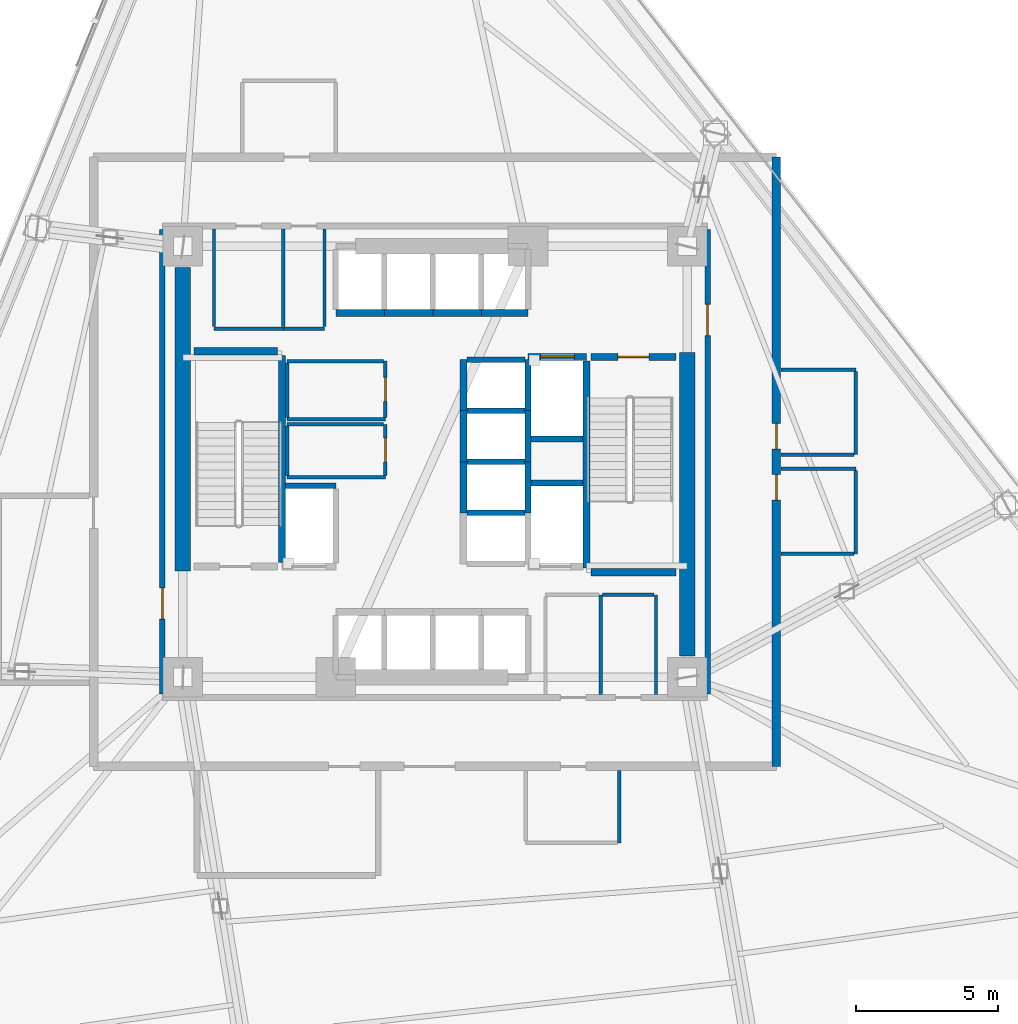
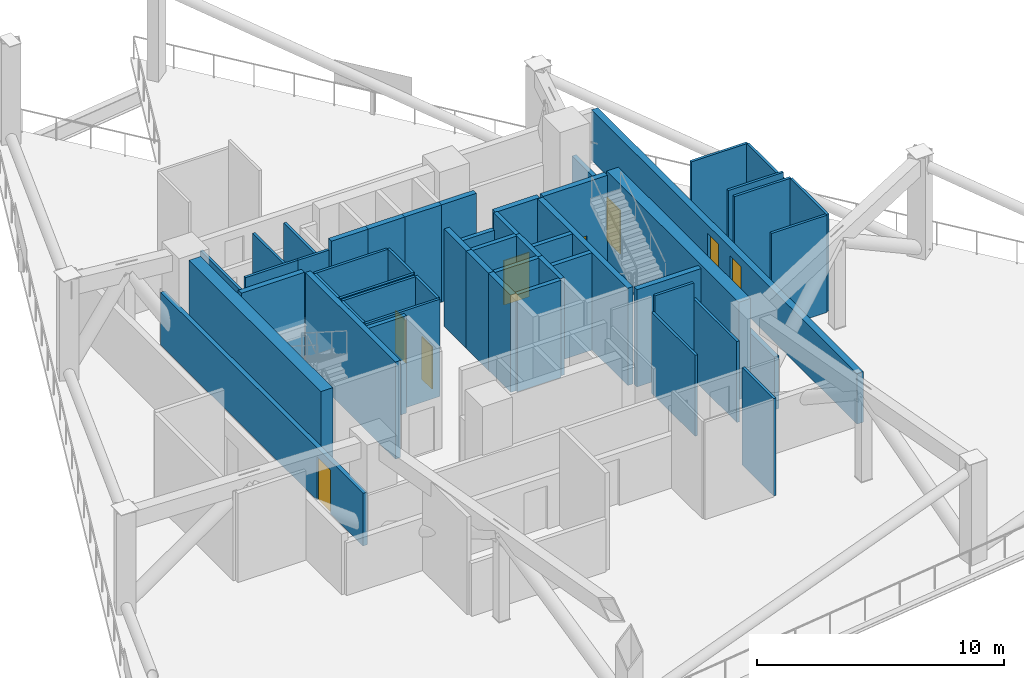
# One storey, part 7 of 13: 51 walls, 8 doors, 8 openings.
"""IFC4 building model written with IfcOpenShell, lengths in metres."""

from ifc_helpers import new_model, si_unit, direction, frame, frame_2d, origin, place, context, subcontext, project, spatial, rectangle, extrude, material, layer, layer_set, type_object, element, fill, save


model = new_model("IFC4")

# Units and contexts
model_context = context("Model", 3, precision=1e-05, world=origin(), true_north=direction((0.0, 1.0)))
body_context = subcontext(model_context, "Body", "Model", "MODEL_VIEW")
ifc_project = project(units=[si_unit("LENGTHUNIT", "METRE"), si_unit("AREAUNIT", "SQUARE_METRE"), si_unit("VOLUMEUNIT", "CUBIC_METRE"), si_unit("PLANEANGLEUNIT", "RADIAN"), si_unit("MASSUNIT", "GRAM", prefix="KILO")], contexts=[model_context])

# Site, building, storey
site_placement = place(None, origin())
site = spatial("IfcSite", under=ifc_project, at=site_placement, CompositionType="ELEMENT")
building_placement = place(site_placement, origin())
building = spatial("IfcBuilding", under=site, at=building_placement, Name="Tharavind Bronze Gate", CompositionType="ELEMENT")
storey_placement = place(building_placement, frame((0.0, 0.0, 81.10009765625)))
storey = spatial("IfcBuildingStorey", under=building, at=storey_placement, Name="L20", CompositionType="ELEMENT", Elevation=81.10009765625)

# Wall, openings, doors
ifc_material_1 = material(Name="Concrete C40/50", Category="concrete")
ifc_layer_1 = layer(ifc_material_1, 0.300048828125)
ifc_layer_set_1 = layer_set([ifc_layer_1], Name="Concrete C40/50")
wall_type_1 = type_object("IfcWallType", Name="EXTERIOR SPANDREL WALL 300", PredefinedType="STANDARD", material=ifc_layer_set_1)
wall_1_placement = place(storey_placement, frame((12.050048828125, -10.75, 0.0), z_axis=(0.0, 0.0, 1.0), x_axis=(0.0, 1.0, 0.0)))
wall_1 = element("IfcWall", 1, at=wall_1_placement, inside=storey, type_object=wall_type_1, Name="L20 open wind floor core enclosure wall 2", PredefinedType="STANDARD", context=body_context, shape_type="SweptSolid", body=[
    extrude(rectangle(XDim=21.5, YDim=0.300048828125, at=frame_2d((10.75, 0.0))), origin(), (0.0, 0.0, 1.0), 2.5048828125),
])
opening_1_placement = place(wall_1_placement, frame((11.199951171875, 0.0, 0.0)))
opening_1 = element("IfcOpeningElement", 2, at=opening_1_placement, cuts=wall_1, Name="Opening ID07", PredefinedType="OPENING", context=body_context, shape_type="SweptSolid", body=[
    extrude(rectangle(XDim=0.89990234375, YDim=2.10009765625, at=frame_2d((0.449951171875, 1.050048828125))), frame((0.0, 0.15990234375, 0.0), z_axis=(0.0, -1.0, 0.0), x_axis=(1.0, 0.0, 0.0)), (0.0, 0.0, 1.0), 0.320048828125),
])
opening_2_placement = place(wall_1_placement, frame((9.39990234375, 0.0, 0.0)))
opening_2 = element("IfcOpeningElement", 3, at=opening_2_placement, cuts=wall_1, Name="Opening ID07", PredefinedType="OPENING", context=body_context, shape_type="SweptSolid", body=[
    extrude(rectangle(XDim=0.89990234375, YDim=2.10009765625, at=frame_2d((0.449951171875, 1.050048828125))), frame((0.0, 0.15990234375, 0.0), z_axis=(0.0, -1.0, 0.0), x_axis=(1.0, 0.0, 0.0)), (0.0, 0.0, 1.0), 0.320048828125),
])
ifc_material_2 = material(Name="Galvanised Fire Steel", Category="steel")
door_type_1 = type_object("IfcDoorType", Name="PLANT AND RISER FIRE DOOR 900X2100", OperationType="SINGLE_SWING_LEFT", PredefinedType="DOOR", material=ifc_material_2)
door_1_placement = place(opening_1_placement, origin())
door_1 = element("IfcDoor", 4, at=door_1_placement, inside=storey, type_object=door_type_1, Name="L20 Smoke Extract Plant Room door", OperationType="SINGLE_SWING_LEFT", OverallHeight=2.10009765625, OverallWidth=0.89990234375, PredefinedType="DOOR", context=body_context, shape_type="SweptSolid", body=[
    extrude(rectangle(XDim=0.89990234375, YDim=2.10009765625, at=frame_2d((0.449951171875, 1.050048828125))), frame((0.0, 0.02490234375, 0.0), z_axis=(0.0, -1.0, 0.0), x_axis=(1.0, 0.0, 0.0)), (0.0, 0.0, 1.0), 0.050048828125),
])
fill(opening_1, door_1)
door_2_placement = place(opening_2_placement, origin())
door_2 = element("IfcDoor", 5, at=door_2_placement, inside=storey, type_object=door_type_1, Name="L20 Pressurisation Mechanical Room door", OperationType="SINGLE_SWING_LEFT", OverallHeight=2.10009765625, OverallWidth=0.89990234375, PredefinedType="DOOR", context=body_context, shape_type="SweptSolid", body=[
    extrude(rectangle(XDim=0.89990234375, YDim=2.10009765625, at=frame_2d((0.449951171875, 1.050048828125))), frame((0.0, 0.02490234375, 0.0), z_axis=(0.0, -1.0, 0.0), x_axis=(1.0, 0.0, 0.0)), (0.0, 0.0, 1.0), 0.050048828125),
])
fill(opening_2, door_2)

# Wall, opening, door
ifc_material_3 = material(Name="Aerated Concrete Block", Category="concrete")
ifc_layer_2 = layer(ifc_material_3, 0.199951171875)
ifc_layer_set_2 = layer_set([ifc_layer_2], Name="Aerated Concrete Block")
wall_type_2 = type_object("IfcWallType", Name="FIRE RATED PARTITION 200", PredefinedType="PARTITIONING", material=ifc_layer_set_2)
wall_2_placement = place(storey_placement, frame((-9.6201171875, 8.199951171875, 0.0), z_axis=(0.0, 0.0, 1.0), x_axis=(0.0, -1.0, 0.0)))
wall_2 = element("IfcWall", 6, at=wall_2_placement, inside=storey, type_object=wall_type_2, Name="L20 west core corridor wall", PredefinedType="PARTITIONING", context=body_context, shape_type="SweptSolid", body=[
    extrude(rectangle(XDim=16.39990234375, YDim=0.199951171875, at=frame_2d((8.199951171875, 0.0))), origin(), (0.0, 0.0, 1.0), 2.60498046875),
])
opening_3_placement = place(wall_2_placement, frame((12.64990234375, 0.0, 0.0)))
opening_3 = element("IfcOpeningElement", 7, at=opening_3_placement, cuts=wall_2, Name="Opening ID01", PredefinedType="OPENING", context=body_context, shape_type="SweptSolid", body=[
    extrude(rectangle(XDim=1.10009765625, YDim=2.14990234375, at=frame_2d((0.550048828125, 1.074951171875))), frame((0.0, 0.11009765625, 0.0), z_axis=(0.0, -1.0, 0.0), x_axis=(1.0, 0.0, 0.0)), (0.0, 0.0, 1.0), 0.219951171875),
])
ifc_material_4 = material(Name="Fire-Rated Steel", Category="steel")
door_type_2 = type_object("IfcDoorType", Name="STAIR CORE FIRE DOOR 1100X2150", OperationType="SINGLE_SWING_LEFT", PredefinedType="DOOR", material=ifc_material_4)
door_3_placement = place(opening_3_placement, frame((1.10009765625, 0.0, 0.0), z_axis=(0.0, 0.0, 1.0), x_axis=(-1.0, 0.0, 0.0)))
door_3 = element("IfcDoor", 8, at=door_3_placement, inside=storey, type_object=door_type_2, Name="L20 south west stair lobby fire door", OperationType="SINGLE_SWING_LEFT", OverallHeight=2.14990234375, OverallWidth=1.10009765625, PredefinedType="DOOR", context=body_context, shape_type="SweptSolid", body=[
    extrude(rectangle(XDim=1.10009765625, YDim=2.14990234375, at=frame_2d((0.550048828125, 1.074951171875))), frame((0.0, 0.02490234375, 0.0), z_axis=(0.0, -1.0, 0.0), x_axis=(1.0, 0.0, 0.0)), (0.0, 0.0, 1.0), 0.050048828125),
])
fill(opening_3, door_3)

wall_3_placement = place(storey_placement, frame((9.6201171875, -8.199951171875, 0.0), z_axis=(0.0, 0.0, 1.0), x_axis=(0.0, 1.0, 0.0)))
wall_3 = element("IfcWall", 9, at=wall_3_placement, inside=storey, type_object=wall_type_2, Name="L20 east core corridor wall", PredefinedType="PARTITIONING", context=body_context, shape_type="SweptSolid", body=[
    extrude(rectangle(XDim=16.39990234375, YDim=0.199951171875, at=frame_2d((8.199951171875, 0.0))), origin(), (0.0, 0.0, 1.0), 2.60498046875),
])
opening_4_placement = place(wall_3_placement, frame((12.64990234375, 0.0, 0.0)))
opening_4 = element("IfcOpeningElement", 10, at=opening_4_placement, cuts=wall_3, Name="Opening ID01", PredefinedType="OPENING", context=body_context, shape_type="SweptSolid", body=[
    extrude(rectangle(XDim=1.10009765625, YDim=2.14990234375, at=frame_2d((0.550048828125, 1.074951171875))), frame((0.0, 0.11009765625, 0.0), z_axis=(0.0, -1.0, 0.0), x_axis=(1.0, 0.0, 0.0)), (0.0, 0.0, 1.0), 0.219951171875),
])
door_4_placement = place(opening_4_placement, frame((1.10009765625, 0.0, 0.0), z_axis=(0.0, 0.0, 1.0), x_axis=(-1.0, 0.0, 0.0)))
door_4 = element("IfcDoor", 11, at=door_4_placement, inside=storey, type_object=door_type_2, Name="L20 north east stair lobby fire door", OperationType="SINGLE_SWING_LEFT", OverallHeight=2.14990234375, OverallWidth=1.10009765625, PredefinedType="DOOR", context=body_context, shape_type="SweptSolid", body=[
    extrude(rectangle(XDim=1.10009765625, YDim=2.14990234375, at=frame_2d((0.550048828125, 1.074951171875))), frame((0.0, 0.02490234375, 0.0), z_axis=(0.0, -1.0, 0.0), x_axis=(1.0, 0.0, 0.0)), (0.0, 0.0, 1.0), 0.050048828125),
])
fill(opening_4, door_4)

# Wall
ifc_material_5 = material(Name="Metal Stud Gypsum Partition", Category="gypsum")
ifc_layer_3 = layer(ifc_material_5, 0.1201171875)
ifc_layer_set_3 = layer_set([ifc_layer_3], Name="Metal Stud Gypsum Partition")
wall_type_3 = type_object("IfcWallType", Name="INTERIOR PARTITION WALL 120", PredefinedType="PARTITIONING", material=ifc_layer_set_3)
wall_4_placement = place(storey_placement, frame((-5.219970703125, 1.5, 0.0), z_axis=(0.0, 0.0, 1.0), x_axis=(1.0, 0.0, 0.0)))
element("IfcWall", 12, at=wall_4_placement, inside=storey, type_object=wall_type_3, Name="L20 Core MEP Switchgear Room partition 1", PredefinedType="PARTITIONING", context=body_context, shape_type="SweptSolid", body=[
    extrude(rectangle(XDim=3.469970703125, YDim=0.1201171875, at=frame_2d((1.73486328125, 0.0))), origin(), (0.0, 0.0, 1.0), 4.809814453125),
])

# Wall, opening, door
wall_5_placement = place(storey_placement, frame((-1.75, 1.56494140625, 0.0), z_axis=(0.0, 0.0, 1.0), x_axis=(0.0, 1.0, 0.0)))
wall_5 = element("IfcWall", 13, at=wall_5_placement, inside=storey, type_object=wall_type_3, Name="L20 Core MEP Switchgear Room partition 2", PredefinedType="PARTITIONING", context=body_context, shape_type="SweptSolid", body=[
    extrude(rectangle(XDim=1.985107421875, YDim=0.1201171875, at=frame_2d((0.99267578125, 0.0))), origin(), (0.0, 0.0, 1.0), 4.809814453125),
])
opening_5_placement = place(wall_5_placement, frame((0.56689453125, 0.0, 0.0)))
opening_5 = element("IfcOpeningElement", 14, at=opening_5_placement, cuts=wall_5, Name="Opening ID06", PredefinedType="OPENING", context=body_context, shape_type="SweptSolid", body=[
    extrude(rectangle(XDim=0.85009765625, YDim=2.10009765625, at=frame_2d((0.425048828125, 1.050048828125))), frame((0.0, 0.07005859375, 0.0), z_axis=(0.0, -1.0, 0.0), x_axis=(1.0, 0.0, 0.0)), (0.0, 0.0, 1.0), 0.1401171875),
])
ifc_material_6 = material(Name="Moisture-Resistant Timber", Category="wood")
door_type_3 = type_object("IfcDoorType", Name="BATHROOM PRIVACY DOOR 850X2100", OperationType="SINGLE_SWING_RIGHT", PredefinedType="DOOR", material=ifc_material_6)
door_5_placement = place(opening_5_placement, frame((0.85009765625, 0.0, 0.0), z_axis=(0.0, 0.0, 1.0), x_axis=(-1.0, 0.0, 0.0)))
door_5 = element("IfcDoor", 15, at=door_5_placement, inside=storey, type_object=door_type_3, Name="L20 Core MEP Switchgear Room door", OperationType="SINGLE_SWING_RIGHT", OverallHeight=2.10009765625, OverallWidth=0.85009765625, PredefinedType="DOOR", context=body_context, shape_type="SweptSolid", body=[
    extrude(rectangle(XDim=0.85009765625, YDim=2.10009765625, at=frame_2d((0.425048828125, 1.050048828125))), frame((0.0, 0.02490234375, 0.0), z_axis=(0.0, -1.0, 0.0), x_axis=(1.0, 0.0, 0.0)), (0.0, 0.0, 1.0), 0.050048828125),
])
fill(opening_5, door_5)

# Walls
wall_6_placement = place(storey_placement, frame((-1.81494140625, 3.550048828125, 0.0), z_axis=(0.0, 0.0, 1.0), x_axis=(-1.0, 0.0, 0.0)))
element("IfcWall", 16, at=wall_6_placement, inside=storey, type_object=wall_type_3, Name="L20 Core MEP Switchgear Room partition 3", PredefinedType="PARTITIONING", context=body_context, shape_type="SweptSolid", body=[
    extrude(rectangle(XDim=3.405029296875, YDim=0.1201171875, at=frame_2d((1.70263671875, 0.0))), origin(), (0.0, 0.0, 1.0), 4.809814453125),
])
wall_7_placement = place(storey_placement, frame((-5.219970703125, 3.485107421875, 0.0), z_axis=(0.0, 0.0, 1.0), x_axis=(0.0, -1.0, 0.0)))
element("IfcWall", 17, at=wall_7_placement, inside=storey, type_object=wall_type_3, Name="L20 Core MEP Switchgear Room partition 4", PredefinedType="PARTITIONING", context=body_context, shape_type="SweptSolid", body=[
    extrude(rectangle(XDim=1.920166015625, YDim=0.1201171875, at=frame_2d((0.9599609375, 0.0))), origin(), (0.0, 0.0, 1.0), 4.809814453125),
])
wall_8_placement = place(storey_placement, frame((-5.219970703125, -0.550048828125, 0.0), z_axis=(0.0, 0.0, 1.0), x_axis=(1.0, 0.0, 0.0)))
element("IfcWall", 18, at=wall_8_placement, inside=storey, type_object=wall_type_3, Name="L20 Core Mechanical Valve Plant partition 1", PredefinedType="PARTITIONING", context=body_context, shape_type="SweptSolid", body=[
    extrude(rectangle(XDim=3.469970703125, YDim=0.1201171875, at=frame_2d((1.73486328125, 0.0))), origin(), (0.0, 0.0, 1.0), 4.809814453125),
])

# Wall, opening, door
wall_9_placement = place(storey_placement, frame((-1.75, -0.485107421875, 0.0), z_axis=(0.0, 0.0, 1.0), x_axis=(0.0, 1.0, 0.0)))
wall_9 = element("IfcWall", 19, at=wall_9_placement, inside=storey, type_object=wall_type_3, Name="L20 Core Mechanical Valve Plant partition 2", PredefinedType="PARTITIONING", context=body_context, shape_type="SweptSolid", body=[
    extrude(rectangle(XDim=1.80517578125, YDim=0.1201171875, at=frame_2d((0.902587890625, 0.0))), origin(), (0.0, 0.0, 1.0), 4.809814453125),
])
opening_6_placement = place(wall_9_placement, frame((0.47802734375, 0.0, 0.0)))
opening_6 = element("IfcOpeningElement", 20, at=opening_6_placement, cuts=wall_9, Name="Opening ID06", PredefinedType="OPENING", context=body_context, shape_type="SweptSolid", body=[
    extrude(rectangle(XDim=0.85009765625, YDim=2.10009765625, at=frame_2d((0.425048828125, 1.050048828125))), frame((0.0, 0.07005859375, 0.0), z_axis=(0.0, -1.0, 0.0), x_axis=(1.0, 0.0, 0.0)), (0.0, 0.0, 1.0), 0.1401171875),
])
door_6_placement = place(opening_6_placement, frame((0.85009765625, 0.0, 0.0), z_axis=(0.0, 0.0, 1.0), x_axis=(-1.0, 0.0, 0.0)))
door_6 = element("IfcDoor", 21, at=door_6_placement, inside=storey, type_object=door_type_3, Name="L20 Core Mechanical Valve Plant door", OperationType="SINGLE_SWING_RIGHT", OverallHeight=2.10009765625, OverallWidth=0.85009765625, PredefinedType="DOOR", context=body_context, shape_type="SweptSolid", body=[
    extrude(rectangle(XDim=0.85009765625, YDim=2.10009765625, at=frame_2d((0.425048828125, 1.050048828125))), frame((0.0, 0.02490234375, 0.0), z_axis=(0.0, -1.0, 0.0), x_axis=(1.0, 0.0, 0.0)), (0.0, 0.0, 1.0), 0.050048828125),
])
fill(opening_6, door_6)

# Walls
wall_10_placement = place(storey_placement, frame((-1.81494140625, 1.320068359375, 0.0), z_axis=(0.0, 0.0, 1.0), x_axis=(-1.0, 0.0, 0.0)))
element("IfcWall", 22, at=wall_10_placement, inside=storey, type_object=wall_type_3, Name="L20 Core Mechanical Valve Plant partition 3", PredefinedType="PARTITIONING", context=body_context, shape_type="SweptSolid", body=[
    extrude(rectangle(XDim=3.405029296875, YDim=0.1201171875, at=frame_2d((1.70263671875, 0.0))), origin(), (0.0, 0.0, 1.0), 4.809814453125),
])
wall_11_placement = place(storey_placement, frame((-5.219970703125, 1.2548828125, 0.0), z_axis=(0.0, 0.0, 1.0), x_axis=(0.0, -1.0, 0.0)))
element("IfcWall", 23, at=wall_11_placement, inside=storey, type_object=wall_type_3, Name="L20 Core Mechanical Valve Plant partition 4", PredefinedType="PARTITIONING", context=body_context, shape_type="SweptSolid", body=[
    extrude(rectangle(XDim=1.739990234375, YDim=0.1201171875, at=frame_2d((0.8701171875, 0.0))), origin(), (0.0, 0.0, 1.0), 4.809814453125),
])
wall_12_placement = place(storey_placement, frame((-7.800048828125, 4.699951171875, 0.0), z_axis=(0.0, 0.0, 1.0), x_axis=(1.0, 0.0, 0.0)))
element("IfcWall", 24, at=wall_12_placement, inside=storey, type_object=wall_type_3, Name="L20 MEP Switchgear Room partition 1", PredefinedType="PARTITIONING", context=body_context, shape_type="SweptSolid", body=[
    extrude(rectangle(XDim=2.449951171875, YDim=0.1201171875, at=frame_2d((1.22509765625, 0.0))), origin(), (0.0, 0.0, 1.0), 4.809814453125),
])
for number, where, z_axis, x_axis, name in (
    (25, (-5.35009765625, 4.764892578125, 0.0), (0.0, 0.0, 1.0), (0.0, 1.0, 0.0), "L20 MEP Switchgear Room partition 2"),
    (26, (-7.800048828125, 8.215087890625, 0.0), (0.0, 0.0, 1.0), (0.0, -1.0, 0.0), "L20 MEP Switchgear Room partition 4"),
):
    element("IfcWall", number, at=place(storey_placement, frame(where, z_axis=z_axis, x_axis=x_axis)), inside=storey, type_object=wall_type_3, Name=name, PredefinedType="PARTITIONING", context=body_context, shape_type="SweptSolid", body=[
        extrude(rectangle(XDim=3.4501953125, YDim=0.1201171875, at=frame_2d((1.72509765625, 0.0))), origin(), (0.0, 0.0, 1.0), 4.0048828125),
    ])
wall_13_placement = place(storey_placement, frame((-5.35009765625, 4.699951171875, 0.0), z_axis=(0.0, 0.0, 1.0), x_axis=(1.0, 0.0, 0.0)))
element("IfcWall", 27, at=wall_13_placement, inside=storey, type_object=wall_type_3, Name="L20 Mechanical Riser Plant Room partition 1", PredefinedType="PARTITIONING", context=body_context, shape_type="SweptSolid", body=[
    extrude(rectangle(XDim=1.4501953125, YDim=0.1201171875, at=frame_2d((0.72509765625, 0.0))), origin(), (0.0, 0.0, 1.0), 4.809814453125),
])
wall_14_placement = place(storey_placement, frame((-3.89990234375, 4.764892578125, 0.0), z_axis=(0.0, 0.0, 1.0), x_axis=(0.0, 1.0, 0.0)))
element("IfcWall", 28, at=wall_14_placement, inside=storey, type_object=wall_type_3, Name="L20 Mechanical Riser Plant Room partition 2", PredefinedType="PARTITIONING", context=body_context, shape_type="SweptSolid", body=[
    extrude(rectangle(XDim=3.4501953125, YDim=0.1201171875, at=frame_2d((1.72509765625, 0.0))), origin(), (0.0, 0.0, 1.0), 4.0048828125),
])
for number, where, z_axis, x_axis, name in (
    (29, (5.85009765625, -8.215087890625, 0.0), (0.0, 0.0, 1.0), (0.0, 1.0, 0.0), "L20 Fire Pump Switch Room partition 2"),
    (30, (7.800048828125, -8.215087890625, 0.0), (0.0, 0.0, 1.0), (0.0, 1.0, 0.0), "L20 Break Water Tank Room partition 2"),
):
    element("IfcWall", number, at=place(storey_placement, frame(where, z_axis=z_axis, x_axis=x_axis)), inside=storey, type_object=wall_type_3, Name=name, PredefinedType="PARTITIONING", context=body_context, shape_type="SweptSolid", body=[
        extrude(rectangle(XDim=3.51513671875, YDim=0.1201171875, at=frame_2d((1.757568359375, 0.0))), origin(), (0.0, 0.0, 1.0), 4.0048828125),
    ])
wall_15_placement = place(storey_placement, frame((7.735107421875, -4.699951171875, 0.0), z_axis=(0.0, 0.0, 1.0), x_axis=(-1.0, 0.0, 0.0)))
element("IfcWall", 31, at=wall_15_placement, inside=storey, type_object=wall_type_3, Name="L20 Break Water Tank Room partition 3", PredefinedType="PARTITIONING", context=body_context, shape_type="SweptSolid", body=[
    extrude(rectangle(XDim=1.820068359375, YDim=0.1201171875, at=frame_2d((0.91015625, 0.0))), origin(), (0.0, 0.0, 1.0), 4.809814453125),
])
wall_16_placement = place(storey_placement, frame((12.205078125, 3.25, 0.0), z_axis=(0.0, 0.0, 1.0), x_axis=(1.0, 0.0, 0.0)))
element("IfcWall", 32, at=wall_16_placement, inside=storey, type_object=wall_type_3, Name="L20 Smoke Extract Plant Room partition", PredefinedType="PARTITIONING", context=body_context, shape_type="SweptSolid", body=[
    extrude(rectangle(XDim=2.64501953125, YDim=0.1201171875, at=frame_2d((1.322509765625, 0.0))), origin(), (0.0, 0.0, 1.0), 4.40478515625),
])
wall_17_placement = place(storey_placement, frame((14.85009765625, 3.18505859375, 0.0), z_axis=(0.0, 0.0, 1.0), x_axis=(0.0, -1.0, 0.0)))
element("IfcWall", 33, at=wall_17_placement, inside=storey, type_object=wall_type_3, Name="L20 Smoke Extract Plant Room partition", PredefinedType="PARTITIONING", context=body_context, shape_type="SweptSolid", body=[
    extrude(rectangle(XDim=2.93505859375, YDim=0.1201171875, at=frame_2d((1.467529296875, 0.0))), origin(), (0.0, 0.0, 1.0), 4.40478515625),
])
wall_18_placement = place(storey_placement, frame((14.784912109375, 0.25, 0.0), z_axis=(0.0, 0.0, 1.0), x_axis=(-1.0, 0.0, 0.0)))
element("IfcWall", 34, at=wall_18_placement, inside=storey, type_object=wall_type_3, Name="L20 Smoke Extract Plant Room partition", PredefinedType="PARTITIONING", context=body_context, shape_type="SweptSolid", body=[
    extrude(rectangle(XDim=2.579833984375, YDim=0.1201171875, at=frame_2d((1.2900390625, 0.0))), origin(), (0.0, 0.0, 1.0), 4.809814453125),
])
wall_19_placement = place(storey_placement, frame((12.205078125, -0.25, 0.0), z_axis=(0.0, 0.0, 1.0), x_axis=(1.0, 0.0, 0.0)))
element("IfcWall", 35, at=wall_19_placement, inside=storey, type_object=wall_type_3, Name="L20 Pressurisation Mechanical Room partition", PredefinedType="PARTITIONING", context=body_context, shape_type="SweptSolid", body=[
    extrude(rectangle(XDim=2.64501953125, YDim=0.1201171875, at=frame_2d((1.322509765625, 0.0))), origin(), (0.0, 0.0, 1.0), 4.809814453125),
])
wall_20_placement = place(storey_placement, frame((14.85009765625, -0.31494140625, 0.0), z_axis=(0.0, 0.0, 1.0), x_axis=(0.0, -1.0, 0.0)))
element("IfcWall", 36, at=wall_20_placement, inside=storey, type_object=wall_type_3, Name="L20 Pressurisation Mechanical Room partition", PredefinedType="PARTITIONING", context=body_context, shape_type="SweptSolid", body=[
    extrude(rectangle(XDim=2.93505859375, YDim=0.1201171875, at=frame_2d((1.467529296875, 0.0))), origin(), (0.0, 0.0, 1.0), 4.809814453125),
])
wall_21_placement = place(storey_placement, frame((14.784912109375, -3.25, 0.0), z_axis=(0.0, 0.0, 1.0), x_axis=(-1.0, 0.0, 0.0)))
element("IfcWall", 37, at=wall_21_placement, inside=storey, type_object=wall_type_3, Name="L20 Pressurisation Mechanical Room partition", PredefinedType="PARTITIONING", context=body_context, shape_type="SweptSolid", body=[
    extrude(rectangle(XDim=2.579833984375, YDim=0.1201171875, at=frame_2d((1.2900390625, 0.0))), origin(), (0.0, 0.0, 1.0), 4.809814453125),
])
wall_22_placement = place(storey_placement, frame((6.5, -10.905029296875, 0.0), z_axis=(0.0, 0.0, 1.0), x_axis=(0.0, -1.0, 0.0)))
element("IfcWall", 38, at=wall_22_placement, inside=storey, type_object=wall_type_3, Name="L20 Sprinkler Water Tank Room partition", PredefinedType="PARTITIONING", context=body_context, shape_type="SweptSolid", body=[
    extrude(rectangle(XDim=2.544921875, YDim=0.1201171875, at=frame_2d((1.2724609375, 0.0))), origin(), (0.0, 0.0, 1.0), 4.809814453125),
])
ifc_material_7 = material(Name="Concrete C50/60", Category="concrete")
ifc_layer_4 = layer(ifc_material_7, 0.25)
ifc_layer_set_4 = layer_set([ifc_layer_4], Name="Concrete C50/60")
wall_type_4 = type_object("IfcWallType", Name="RC CORE SHEAR WALL 250", PredefinedType="SHEAR", material=ifc_layer_set_4)
wall_23_placement = place(storey_placement, frame((-5.39990234375, -3.550048828125, 0.0), z_axis=(0.0, 0.0, 1.0), x_axis=(0.0, 1.0, 0.0)))
element("IfcWall", 39, at=wall_23_placement, inside=storey, type_object=wall_type_4, Name="L20 ST1 shaft east wall", PredefinedType="SHEAR", context=body_context, shape_type="SweptSolid", body=[
    extrude(rectangle(XDim=7.300048828125, YDim=0.25, at=frame_2d((3.64990234375, 0.0))), origin(), (0.0, 0.0, 1.0), 4.809814453125),
])
wall_24_placement = place(storey_placement, frame((-8.5, 3.89990234375, 0.0), z_axis=(0.0, 0.0, 1.0), x_axis=(1.0, 0.0, 0.0)))
element("IfcWall", 40, at=wall_24_placement, inside=storey, type_object=wall_type_4, Name="L20 ST1 shaft north wall", PredefinedType="SHEAR", context=body_context, shape_type="SweptSolid", body=[
    extrude(rectangle(XDim=2.949951171875, YDim=0.25, at=frame_2d((1.47509765625, 0.0))), origin(), (0.0, 0.0, 1.0), 4.809814453125),
])
wall_25_placement = place(storey_placement, frame((5.35009765625, -3.75, 0.0), z_axis=(0.0, 0.0, 1.0), x_axis=(0.0, 1.0, 0.0)))
element("IfcWall", 41, at=wall_25_placement, inside=storey, type_object=wall_type_4, Name="L20 ST2 shaft west wall", PredefinedType="SHEAR", context=body_context, shape_type="SweptSolid", body=[
    extrude(rectangle(XDim=7.300048828125, YDim=0.25, at=frame_2d((3.64990234375, 0.0))), origin(), (0.0, 0.0, 1.0), 4.809814453125),
])

# Wall, opening, door
wall_26_placement = place(storey_placement, frame((5.5, 3.699951171875, 0.0), z_axis=(0.0, 0.0, 1.0), x_axis=(1.0, 0.0, 0.0)))
wall_26 = element("IfcWall", 42, at=wall_26_placement, inside=storey, type_object=wall_type_4, Name="L20 ST2 shaft north wall", PredefinedType="SHEAR", context=body_context, shape_type="SweptSolid", body=[
    extrude(rectangle(XDim=3.0, YDim=0.25, at=frame_2d((1.5, 0.0))), origin(), (0.0, 0.0, 1.0), 4.809814453125),
])
opening_7_placement = place(wall_26_placement, frame((0.949951171875, 0.0, 0.0)))
opening_7 = element("IfcOpeningElement", 43, at=opening_7_placement, cuts=wall_26, Name="Opening ID01", PredefinedType="OPENING", context=body_context, shape_type="SweptSolid", body=[
    extrude(rectangle(XDim=1.10009765625, YDim=2.14990234375, at=frame_2d((0.550048828125, 1.074951171875))), frame((0.0, 0.135, 0.0), z_axis=(0.0, -1.0, 0.0), x_axis=(1.0, 0.0, 0.0)), (0.0, 0.0, 1.0), 0.27),
])
door_7_placement = place(opening_7_placement, frame((1.10009765625, 0.0, 0.0), z_axis=(0.0, 0.0, 1.0), x_axis=(-1.0, 0.0, 0.0)))
door_7 = element("IfcDoor", 44, at=door_7_placement, inside=storey, type_object=door_type_2, Name="L20 exit stair ST2 fire door", OperationType="SINGLE_SWING_LEFT", OverallHeight=2.14990234375, OverallWidth=1.10009765625, PredefinedType="DOOR", context=body_context, shape_type="SweptSolid", body=[
    extrude(rectangle(XDim=1.10009765625, YDim=2.14990234375, at=frame_2d((0.550048828125, 1.074951171875))), frame((0.0, 0.02490234375, 0.0), z_axis=(0.0, -1.0, 0.0), x_axis=(1.0, 0.0, 0.0)), (0.0, 0.0, 1.0), 0.050048828125),
])
fill(opening_7, door_7)

# Walls
wall_27_placement = place(storey_placement, frame((5.5, -3.89990234375, 0.0), z_axis=(0.0, 0.0, 1.0), x_axis=(1.0, 0.0, 0.0)))
element("IfcWall", 45, at=wall_27_placement, inside=storey, type_object=wall_type_4, Name="L20 ST2 shaft south wall", PredefinedType="SHEAR", context=body_context, shape_type="SweptSolid", body=[
    extrude(rectangle(XDim=3.0, YDim=0.25, at=frame_2d((1.5, 0.0))), origin(), (0.0, 0.0, 1.0), 4.809814453125),
])
wall_28_placement = place(storey_placement, frame((-3.5, 5.25, 0.0), z_axis=(0.0, 0.0, 1.0), x_axis=(1.0, 0.0, 0.0)))
element("IfcWall", 46, at=wall_28_placement, inside=storey, type_object=wall_type_4, Name="L20 lift PL5 shaft front wall", PredefinedType="SHEAR", context=body_context, shape_type="SweptSolid", body=[
    extrude(rectangle(XDim=1.71240234375, YDim=0.25, at=frame_2d((0.856201171875, 0.0))), origin(), (0.0, 0.0, 1.0), 4.809814453125),
])
wall_29_placement = place(storey_placement, frame((-1.78759765625, 5.25, 0.0), z_axis=(0.0, 0.0, 1.0), x_axis=(1.0, 0.0, 0.0)))
element("IfcWall", 47, at=wall_29_placement, inside=storey, type_object=wall_type_4, Name="L20 lift PL6 shaft front wall", PredefinedType="SHEAR", context=body_context, shape_type="SweptSolid", body=[
    extrude(rectangle(XDim=1.712646484375, YDim=0.25, at=frame_2d((0.8564453125, 0.0))), origin(), (0.0, 0.0, 1.0), 4.809814453125),
])
wall_30_placement = place(storey_placement, frame((-0.074951171875, 5.25, 0.0), z_axis=(0.0, 0.0, 1.0), x_axis=(1.0, 0.0, 0.0)))
element("IfcWall", 48, at=wall_30_placement, inside=storey, type_object=wall_type_4, Name="L20 lift PL7 shaft front wall", PredefinedType="SHEAR", context=body_context, shape_type="SweptSolid", body=[
    extrude(rectangle(XDim=1.71240234375, YDim=0.25, at=frame_2d((0.856201171875, 0.0))), origin(), (0.0, 0.0, 1.0), 4.809814453125),
])
wall_31_placement = place(storey_placement, frame((1.637451171875, 5.25, 0.0), z_axis=(0.0, 0.0, 1.0), x_axis=(1.0, 0.0, 0.0)))
element("IfcWall", 49, at=wall_31_placement, inside=storey, type_object=wall_type_4, Name="L20 lift PL8 shaft front wall", PredefinedType="SHEAR", context=body_context, shape_type="SweptSolid", body=[
    extrude(rectangle(XDim=1.642578125, YDim=0.25, at=frame_2d((0.8212890625, 0.0))), origin(), (0.0, 0.0, 1.0), 4.809814453125),
])
for number, where, z_axis, x_axis, name in (
    (50, (1.0, -1.800048828125, 0.0), (0.0, 0.0, 1.0), (0.0, 1.0, 0.0), "L20 lift PL10 shaft front wall"),
    (51, (1.0, 0.0, 0.0), (0.0, 0.0, 1.0), (0.0, 1.0, 0.0), "L20 lift PL11 shaft front wall"),
    (52, (1.0, 1.800048828125, 0.0), (0.0, 0.0, 1.0), (0.0, 1.0, 0.0), "L20 lift PL12 shaft front wall"),
):
    element("IfcWall", number, at=place(storey_placement, frame(where, z_axis=z_axis, x_axis=x_axis)), inside=storey, type_object=wall_type_4, Name=name, PredefinedType="SHEAR", context=body_context, shape_type="SweptSolid", body=[
        extrude(rectangle(XDim=1.800048828125, YDim=0.25, at=frame_2d((0.89990234375, 0.0))), origin(), (0.0, 0.0, 1.0), 4.809814453125),
    ])

# Wall, opening, door
wall_32_placement = place(storey_placement, frame((3.280029296875, 3.699951171875, 0.0), z_axis=(0.0, 0.0, 1.0), x_axis=(1.0, 0.0, 0.0)))
wall_32 = element("IfcWall", 53, at=wall_32_placement, inside=storey, type_object=wall_type_4, Name="L20 lift FFL2 shaft front wall", PredefinedType="SHEAR", context=body_context, shape_type="SweptSolid", body=[
    extrude(rectangle(XDim=2.070068359375, YDim=0.25, at=frame_2d((1.03515625, 0.0))), origin(), (0.0, 0.0, 1.0), 4.809814453125),
])
opening_8_placement = place(wall_32_placement, frame((0.43505859375, 0.0, 0.0)))
opening_8 = element("IfcOpeningElement", 54, at=opening_8_placement, cuts=wall_32, Name="Opening LD02", PredefinedType="OPENING", context=body_context, shape_type="SweptSolid", body=[
    extrude(rectangle(XDim=1.199951171875, YDim=2.199951171875, at=frame_2d((0.60009765625, 1.10009765625))), frame((0.0, 0.135, 0.0), z_axis=(0.0, -1.0, 0.0), x_axis=(1.0, 0.0, 0.0)), (0.0, 0.0, 1.0), 0.27),
])
ifc_material_8 = material(Name="Brushed Stainless Steel", Category="steel")
door_type_4 = type_object("IfcDoorType", Name="FIREFIGHTING LIFT LANDING DOOR 1200X2200", OperationType="SLIDING_TO_RIGHT", PredefinedType="DOOR", material=ifc_material_8)
door_8_placement = place(opening_8_placement, origin())
door_8 = element("IfcDoor", 55, at=door_8_placement, inside=storey, type_object=door_type_4, Name="L20 lift FFL2 sliding landing door", OperationType="SLIDING_TO_RIGHT", OverallHeight=2.199951171875, OverallWidth=1.199951171875, PredefinedType="DOOR", context=body_context, shape_type="SweptSolid", body=[
    extrude(rectangle(XDim=1.199951171875, YDim=2.199951171875, at=frame_2d((0.60009765625, 1.10009765625))), frame((0.0, 0.02490234375, 0.0), z_axis=(0.0, -1.0, 0.0), x_axis=(1.0, 0.0, 0.0)), (0.0, 0.0, 1.0), 0.050048828125),
])
fill(opening_8, door_8)

# Walls
ifc_material_9 = material(Name="Concrete C60/75", Category="concrete")
ifc_layer_5 = layer(ifc_material_9, 0.550048828125)
ifc_layer_set_5 = layer_set([ifc_layer_5], Name="Concrete C60/75")
wall_type_5 = type_object("IfcWallType", Name="RC CORE SHEAR WALL 550", PredefinedType="SHEAR", material=ifc_layer_set_5)
for number, where, z_axis, x_axis, name in (
    (56, (-8.89990234375, -3.85009765625, 0.0), (0.0, 0.0, 1.0), (0.0, 1.0, 0.0), "L20 west core shear wall"),
    (57, (8.89990234375, -6.85009765625, 0.0), (0.0, 0.0, 1.0), (0.0, 1.0, 0.0), "L20 east core shear wall"),
):
    element("IfcWall", number, at=place(storey_placement, frame(where, z_axis=z_axis, x_axis=x_axis)), inside=storey, type_object=wall_type_5, Name=name, PredefinedType="SHEAR", context=body_context, shape_type="SweptSolid", body=[
        extrude(rectangle(XDim=10.7001953125, YDim=0.550048828125, at=frame_2d((5.35009765625, 0.0))), origin(), (0.0, 0.0, 1.0), 4.809814453125),
    ])
ifc_layer_6 = layer(ifc_material_1, 0.199951171875)
ifc_layer_set_6 = layer_set([ifc_layer_6], Name="Concrete C40/50")
wall_type_6 = type_object("IfcWallType", Name="SHAFT ENCLOSURE WALL 200", PredefinedType="PARTITIONING", material=ifc_layer_set_6)
wall_33_placement = place(storey_placement, frame((1.1298828125, -1.800048828125, 0.0), z_axis=(0.0, 0.0, 1.0), x_axis=(1.0, 0.0, 0.0)))
element("IfcWall", 58, at=wall_33_placement, inside=storey, type_object=wall_type_6, Name="L20 lift PL9 shaft N enclosure wall", PredefinedType="PARTITIONING", context=body_context, shape_type="SweptSolid", body=[
    extrude(rectangle(XDim=2.045166015625, YDim=0.199951171875, at=frame_2d((1.0224609375, 0.0))), origin(), (0.0, 0.0, 1.0), 4.809814453125),
])
wall_34_placement = place(storey_placement, frame((3.280029296875, -1.800048828125, 0.0), z_axis=(0.0, 0.0, 1.0), x_axis=(0.0, 1.0, 0.0)))
element("IfcWall", 59, at=wall_34_placement, inside=storey, type_object=wall_type_6, Name="L20 lift PL10 shaft E enclosure wall", PredefinedType="PARTITIONING", context=body_context, shape_type="SweptSolid", body=[
    extrude(rectangle(XDim=1.800048828125, YDim=0.199951171875, at=frame_2d((0.89990234375, 0.0))), origin(), (0.0, 0.0, 1.0), 4.809814453125),
])
wall_35_placement = place(storey_placement, frame((1.1298828125, 0.0, 0.0), z_axis=(0.0, 0.0, 1.0), x_axis=(1.0, 0.0, 0.0)))
element("IfcWall", 60, at=wall_35_placement, inside=storey, type_object=wall_type_6, Name="L20 lift PL10 shaft N enclosure wall", PredefinedType="PARTITIONING", context=body_context, shape_type="SweptSolid", body=[
    extrude(rectangle(XDim=2.045166015625, YDim=0.199951171875, at=frame_2d((1.0224609375, 0.0))), origin(), (0.0, 0.0, 1.0), 4.809814453125),
])
wall_36_placement = place(storey_placement, frame((3.280029296875, 0.0, 0.0), z_axis=(0.0, 0.0, 1.0), x_axis=(0.0, 1.0, 0.0)))
element("IfcWall", 61, at=wall_36_placement, inside=storey, type_object=wall_type_6, Name="L20 lift PL11 shaft E enclosure wall", PredefinedType="PARTITIONING", context=body_context, shape_type="SweptSolid", body=[
    extrude(rectangle(XDim=1.800048828125, YDim=0.199951171875, at=frame_2d((0.89990234375, 0.0))), origin(), (0.0, 0.0, 1.0), 4.809814453125),
])
wall_37_placement = place(storey_placement, frame((1.1298828125, 1.800048828125, 0.0), z_axis=(0.0, 0.0, 1.0), x_axis=(1.0, 0.0, 0.0)))
element("IfcWall", 62, at=wall_37_placement, inside=storey, type_object=wall_type_6, Name="L20 lift PL11 shaft N enclosure wall", PredefinedType="PARTITIONING", context=body_context, shape_type="SweptSolid", body=[
    extrude(rectangle(XDim=2.045166015625, YDim=0.199951171875, at=frame_2d((1.0224609375, 0.0))), origin(), (0.0, 0.0, 1.0), 4.809814453125),
])
wall_38_placement = place(storey_placement, frame((3.280029296875, 1.800048828125, 0.0), z_axis=(0.0, 0.0, 1.0), x_axis=(0.0, 1.0, 0.0)))
element("IfcWall", 63, at=wall_38_placement, inside=storey, type_object=wall_type_6, Name="L20 lift PL12 shaft E enclosure wall", PredefinedType="PARTITIONING", context=body_context, shape_type="SweptSolid", body=[
    extrude(rectangle(XDim=1.800048828125, YDim=0.199951171875, at=frame_2d((0.89990234375, 0.0))), origin(), (0.0, 0.0, 1.0), 4.809814453125),
])
wall_39_placement = place(storey_placement, frame((1.1298828125, 3.60009765625, 0.0), z_axis=(0.0, 0.0, 1.0), x_axis=(1.0, 0.0, 0.0)))
element("IfcWall", 64, at=wall_39_placement, inside=storey, type_object=wall_type_6, Name="L20 lift PL12 shaft N enclosure wall", PredefinedType="PARTITIONING", context=body_context, shape_type="SweptSolid", body=[
    extrude(rectangle(XDim=2.045166015625, YDim=0.199951171875, at=frame_2d((1.0224609375, 0.0))), origin(), (0.0, 0.0, 1.0), 4.0048828125),
])
wall_40_placement = place(storey_placement, frame((-5.27001953125, -0.85009765625, 0.0), z_axis=(0.0, 0.0, 1.0), x_axis=(1.0, 0.0, 0.0)))
element("IfcWall", 65, at=wall_40_placement, inside=storey, type_object=wall_type_6, Name="L20 lift FFL1 shaft N enclosure wall", PredefinedType="PARTITIONING", context=body_context, shape_type="SweptSolid", body=[
    extrude(rectangle(XDim=1.77001953125, YDim=0.199951171875, at=frame_2d((0.885009765625, 0.0))), origin(), (0.0, 0.0, 1.0), 4.809814453125),
])
for number, where, z_axis, x_axis, name in (
    (66, (3.385009765625, 0.800048828125, 0.0), (0.0, 0.0, 1.0), (1.0, 0.0, 0.0), "L20 lift FFL2 shaft S enclosure wall"),
    (67, (3.385009765625, -0.75, 0.0), (0.0, 0.0, 1.0), (1.0, 0.0, 0.0), "L20 lift SVL1 shaft N enclosure wall"),
):
    element("IfcWall", number, at=place(storey_placement, frame(where, z_axis=z_axis, x_axis=x_axis)), inside=storey, type_object=wall_type_6, Name=name, PredefinedType="PARTITIONING", context=body_context, shape_type="SweptSolid", body=[
        extrude(rectangle(XDim=1.8349609375, YDim=0.199951171875, at=frame_2d((0.91748046875, 0.0))), origin(), (0.0, 0.0, 1.0), 4.809814453125),
    ])

save(model, "model.ifc")
